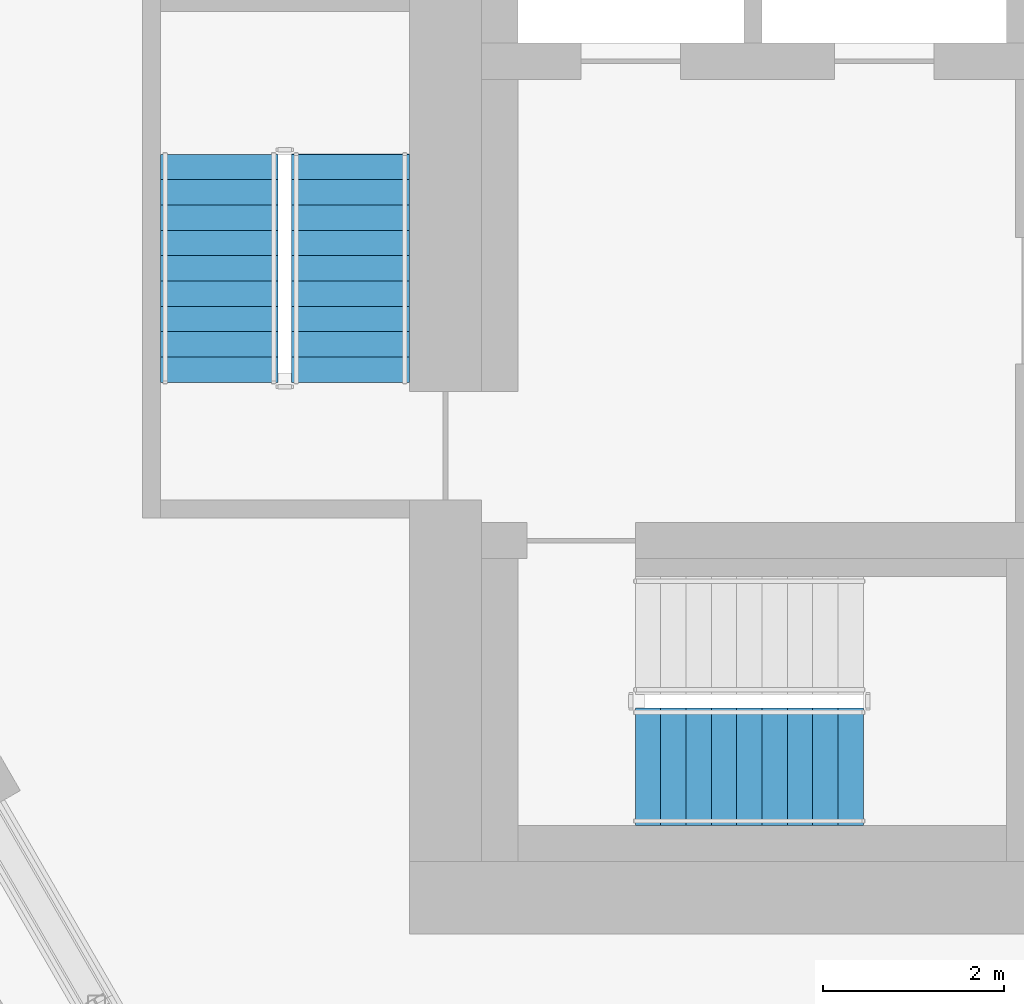
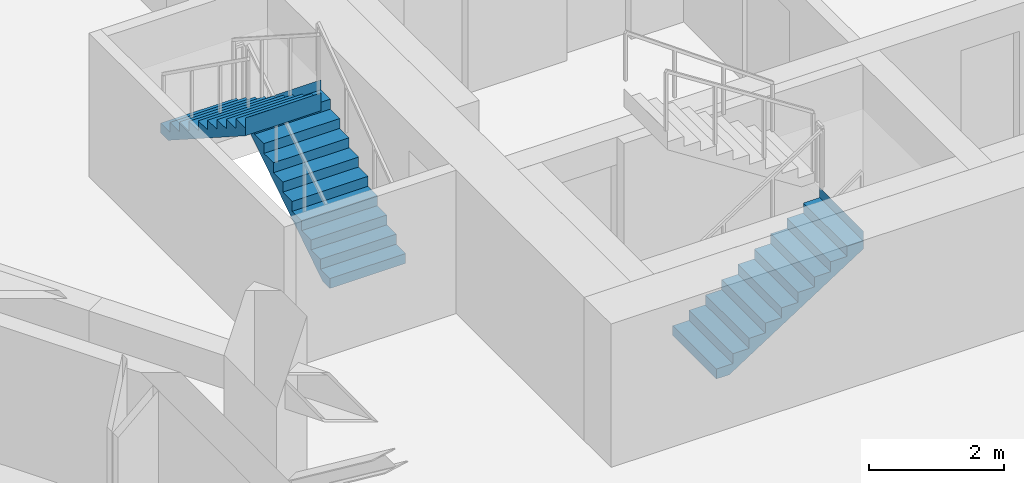
# One storey, part 16 of 22: 3 stair flights, 2 elements without a shape of their own.
"""IFC4 building model written with IfcOpenShell, lengths in metres."""

from ifc_helpers import new_model, si_unit, direction, frame, origin, place, context, subcontext, project, spatial, triangles, material, type_object, element, aggregate, save


model = new_model("IFC4")

# Units and contexts
model_context = context("Model", 3, precision=1e-05, world=origin(), true_north=direction((0.0, 1.0)))
body_context = subcontext(model_context, "Body", "Model", "MODEL_VIEW")
ifc_project = project(units=[si_unit("LENGTHUNIT", "METRE"), si_unit("AREAUNIT", "SQUARE_METRE"), si_unit("VOLUMEUNIT", "CUBIC_METRE"), si_unit("PLANEANGLEUNIT", "RADIAN"), si_unit("MASSUNIT", "GRAM", prefix="KILO")], contexts=[model_context])

# Site, building, storey
site_placement = place(None, origin())
site = spatial("IfcSite", under=ifc_project, at=site_placement, CompositionType="ELEMENT")
building_placement = place(site_placement, origin())
building = spatial("IfcBuilding", under=site, at=building_placement, Name="Beryl Residences", CompositionType="ELEMENT")
storey_placement = place(building_placement, frame((0.0, 0.0, 153.60009765625)))
storey = spatial("IfcBuildingStorey", under=building, at=storey_placement, Name="L47", CompositionType="ELEMENT", Elevation=153.60009765625)

# Stair, stair flight
ifc_material_1 = material(Name="Concrete C40/50", Category="concrete")
stair_type = type_object("IfcStairType", Name="ST1 protected exit stair, half-turn, 1300 mm flights", PredefinedType="HALF_TURN_STAIR", material=ifc_material_1)
stair_1_placement = place(storey_placement, origin())
stair_1 = element("IfcStair", 1, at=stair_1_placement, inside=storey, type_object=stair_type, Name="L47 PROTECTED EXIT STAIR ST-1", PredefinedType="HALF_TURN_STAIR")
ifc_material_2 = material(Name="Concrete C40/50", Category="concrete")
stair_flight_type = type_object("IfcStairFlightType", Name="SF1 stair flight 1300 mm", PredefinedType="STRAIGHT", material=ifc_material_2)
stair_flight_1_placement = place(storey_placement, frame((-10.800048828125, -17.14990234375, 0.0), z_axis=(0.0, 0.0, 1.0), x_axis=(1.0, 0.0, 0.0)))
stair_flight_1 = element("IfcStairFlight", 2, at=stair_flight_1_placement, type_object=stair_flight_type, Name="ST-1 flight 1", NumberOfRisers=10, NumberOfTreads=9, PredefinedType="STRAIGHT", RiserHeight=0.18, TreadLength=0.28, context=body_context, shape_type="Tessellation", body=[
    triangles([(0.0, -0.64990234375, 0.0), (0.0, -0.324951171875, 0.0), (0.0, 0.0, 0.0), (0.0, 0.324951171875, 0.0), (0.0, 0.64990234375, 0.0), (0.0, -0.64990234375, 0.179931640625), (0.0, -0.324951171875, 0.179931640625), (0.0, 0.0, 0.179931640625), (0.0, 0.324951171875, 0.179931640625), (0.0, 0.64990234375, 0.179931640625), (0.280029296875, -0.64990234375, 0.179931640625), (0.280029296875, -0.324951171875, 0.179931640625), (0.280029296875, 0.0, 0.179931640625), (0.280029296875, 0.324951171875, 0.179931640625), (0.280029296875, 0.64990234375, 0.179931640625), (0.280029296875, -0.64990234375, 0.360107421875), (0.280029296875, -0.324951171875, 0.360107421875), (0.280029296875, 0.0, 0.360107421875), (0.280029296875, 0.324951171875, 0.360107421875), (0.280029296875, 0.64990234375, 0.360107421875), (0.56005859375, -0.64990234375, 0.360107421875), (0.56005859375, -0.324951171875, 0.360107421875), (0.56005859375, 0.0, 0.360107421875), (0.56005859375, 0.324951171875, 0.360107421875), (0.56005859375, 0.64990234375, 0.360107421875), (0.56005859375, -0.64990234375, 0.5400390625), (0.56005859375, -0.324951171875, 0.5400390625), (0.56005859375, 0.0, 0.5400390625), (0.56005859375, 0.324951171875, 0.5400390625), (0.56005859375, 0.64990234375, 0.5400390625), (0.840087890625, -0.64990234375, 0.5400390625), (0.840087890625, -0.324951171875, 0.5400390625), (0.840087890625, 0.0, 0.5400390625), (0.840087890625, 0.324951171875, 0.5400390625), (0.840087890625, 0.64990234375, 0.5400390625), (0.840087890625, -0.64990234375, 0.719970703125), (0.840087890625, -0.324951171875, 0.719970703125), (0.840087890625, 0.0, 0.719970703125), (0.840087890625, 0.324951171875, 0.719970703125), (0.840087890625, 0.64990234375, 0.719970703125), (1.1201171875, -0.64990234375, 0.719970703125), (1.1201171875, -0.324951171875, 0.719970703125), (1.1201171875, 0.0, 0.719970703125), (1.1201171875, 0.324951171875, 0.719970703125), (1.1201171875, 0.64990234375, 0.719970703125), (1.1201171875, -0.64990234375, 0.89990234375), (1.1201171875, -0.324951171875, 0.89990234375), (1.1201171875, 0.0, 0.89990234375), (1.1201171875, 0.324951171875, 0.89990234375), (1.1201171875, 0.64990234375, 0.89990234375), (1.39990234375, -0.64990234375, 0.89990234375), (1.39990234375, -0.324951171875, 0.89990234375), (1.39990234375, 0.0, 0.89990234375), (1.39990234375, 0.324951171875, 0.89990234375), (1.39990234375, 0.64990234375, 0.89990234375), (1.39990234375, -0.64990234375, 1.080078125), (1.39990234375, -0.324951171875, 1.080078125), (1.39990234375, 0.0, 1.080078125), (1.39990234375, 0.324951171875, 1.080078125), (1.39990234375, 0.64990234375, 1.080078125), (1.679931640625, -0.64990234375, 1.080078125), (1.679931640625, -0.324951171875, 1.080078125), (1.679931640625, 0.0, 1.080078125), (1.679931640625, 0.324951171875, 1.080078125), (1.679931640625, 0.64990234375, 1.080078125), (1.679931640625, -0.64990234375, 1.260009765625), (1.679931640625, -0.324951171875, 1.260009765625), (1.679931640625, 0.0, 1.260009765625), (1.679931640625, 0.324951171875, 1.260009765625), (1.679931640625, 0.64990234375, 1.260009765625), (1.9599609375, -0.64990234375, 1.260009765625), (1.9599609375, -0.324951171875, 1.260009765625), (1.9599609375, 0.0, 1.260009765625), (1.9599609375, 0.324951171875, 1.260009765625), (1.9599609375, 0.64990234375, 1.260009765625), (1.9599609375, -0.64990234375, 1.43994140625), (1.9599609375, -0.324951171875, 1.43994140625), (1.9599609375, 0.0, 1.43994140625), (1.9599609375, 0.324951171875, 1.43994140625), (1.9599609375, 0.64990234375, 1.43994140625), (2.239990234375, -0.64990234375, 1.43994140625), (2.239990234375, -0.324951171875, 1.43994140625), (2.239990234375, 0.0, 1.43994140625), (2.239990234375, 0.324951171875, 1.43994140625), (2.239990234375, 0.64990234375, 1.43994140625), (2.239990234375, -0.64990234375, 1.6201171875), (2.239990234375, -0.324951171875, 1.6201171875), (2.239990234375, 0.0, 1.6201171875), (2.239990234375, 0.324951171875, 1.6201171875), (2.239990234375, 0.64990234375, 1.6201171875), (2.52001953125, -0.64990234375, 1.6201171875), (2.52001953125, -0.324951171875, 1.6201171875), (2.52001953125, 0.0, 1.6201171875), (2.52001953125, 0.324951171875, 1.6201171875), (2.52001953125, 0.64990234375, 1.6201171875), (2.52001953125, -0.64990234375, 1.800048828125), (2.52001953125, -0.324951171875, 1.800048828125), (2.52001953125, 0.0, 1.800048828125), (2.52001953125, 0.324951171875, 1.800048828125), (2.52001953125, 0.64990234375, 1.800048828125), (2.52099609375, -0.64990234375, 1.800048828125), (2.52099609375, -0.324951171875, 1.800048828125), (2.52099609375, 0.0, 1.800048828125), (2.52099609375, 0.324951171875, 1.800048828125), (2.52099609375, 0.64990234375, 1.800048828125), (2.52099609375, -0.64990234375, 1.477294921875), (2.52099609375, -0.324951171875, 1.477294921875), (2.52099609375, 0.0, 1.477294921875), (2.52099609375, 0.324951171875, 1.477294921875), (2.52099609375, 0.64990234375, 1.477294921875), (0.22314453125, -0.64990234375, 0.0), (0.22314453125, -0.324951171875, 0.0), (0.22314453125, 0.0, 0.0), (0.22314453125, 0.324951171875, 0.0), (0.22314453125, 0.64990234375, 0.0)], [[1, 6, 7], [1, 7, 2], [2, 7, 8], [2, 8, 3], [3, 8, 9], [3, 9, 4], [4, 9, 10], [4, 10, 5], [6, 11, 12], [6, 12, 7], [7, 12, 13], [7, 13, 8], [8, 13, 14], [8, 14, 9], [9, 14, 15], [9, 15, 10], [11, 16, 17], [11, 17, 12], [12, 17, 18], [12, 18, 13], [13, 18, 19], [13, 19, 14], [14, 19, 20], [14, 20, 15], [16, 21, 22], [16, 22, 17], [17, 22, 23], [17, 23, 18], [18, 23, 24], [18, 24, 19], [19, 24, 25], [19, 25, 20], [21, 26, 27], [21, 27, 22], [22, 27, 28], [22, 28, 23], [23, 28, 29], [23, 29, 24], [24, 29, 30], [24, 30, 25], [26, 31, 32], [26, 32, 27], [27, 32, 33], [27, 33, 28], [28, 33, 34], [28, 34, 29], [29, 34, 35], [29, 35, 30], [31, 36, 37], [31, 37, 32], [32, 37, 38], [32, 38, 33], [33, 38, 39], [33, 39, 34], [34, 39, 40], [34, 40, 35], [36, 41, 42], [36, 42, 37], [37, 42, 43], [37, 43, 38], [38, 43, 44], [38, 44, 39], [39, 44, 45], [39, 45, 40], [41, 46, 47], [41, 47, 42], [42, 47, 48], [42, 48, 43], [43, 48, 49], [43, 49, 44], [44, 49, 50], [44, 50, 45], [46, 51, 52], [46, 52, 47], [47, 52, 53], [47, 53, 48], [48, 53, 54], [48, 54, 49], [49, 54, 55], [49, 55, 50], [51, 56, 57], [51, 57, 52], [52, 57, 58], [52, 58, 53], [53, 58, 59], [53, 59, 54], [54, 59, 60], [54, 60, 55], [56, 61, 62], [56, 62, 57], [57, 62, 63], [57, 63, 58], [58, 63, 64], [58, 64, 59], [59, 64, 65], [59, 65, 60], [61, 66, 67], [61, 67, 62], [62, 67, 68], [62, 68, 63], [63, 68, 69], [63, 69, 64], [64, 69, 70], [64, 70, 65], [66, 71, 72], [66, 72, 67], [67, 72, 73], [67, 73, 68], [68, 73, 74], [68, 74, 69], [69, 74, 75], [69, 75, 70], [71, 76, 77], [71, 77, 72], [72, 77, 78], [72, 78, 73], [73, 78, 79], [73, 79, 74], [74, 79, 80], [74, 80, 75], [76, 81, 82], [76, 82, 77], [77, 82, 83], [77, 83, 78], [78, 83, 84], [78, 84, 79], [79, 84, 85], [79, 85, 80], [81, 86, 87], [81, 87, 82], [82, 87, 88], [82, 88, 83], [83, 88, 89], [83, 89, 84], [84, 89, 90], [84, 90, 85], [86, 91, 92], [86, 92, 87], [87, 92, 93], [87, 93, 88], [88, 93, 94], [88, 94, 89], [89, 94, 95], [89, 95, 90], [91, 96, 97], [91, 97, 92], [92, 97, 98], [92, 98, 93], [93, 98, 99], [93, 99, 94], [94, 99, 100], [94, 100, 95], [96, 101, 102], [96, 102, 97], [97, 102, 103], [97, 103, 98], [98, 103, 104], [98, 104, 99], [99, 104, 105], [99, 105, 100], [101, 106, 107], [101, 107, 102], [102, 107, 108], [102, 108, 103], [103, 108, 109], [103, 109, 104], [104, 109, 110], [104, 110, 105], [106, 111, 112], [106, 112, 107], [107, 112, 113], [107, 113, 108], [108, 113, 114], [108, 114, 109], [109, 114, 115], [109, 115, 110], [111, 1, 2], [111, 2, 112], [112, 2, 3], [112, 3, 113], [113, 3, 4], [113, 4, 114], [114, 4, 5], [114, 5, 115], [1, 111, 106], [5, 110, 115], [106, 101, 96], [110, 100, 105], [106, 96, 91], [110, 95, 100], [106, 91, 86], [110, 90, 95], [106, 86, 81], [110, 85, 90], [81, 76, 71], [85, 75, 80], [106, 81, 71], [110, 75, 85], [71, 66, 61], [75, 65, 70], [106, 71, 61], [110, 65, 75], [61, 56, 51], [65, 55, 60], [106, 61, 51], [110, 55, 65], [51, 46, 41], [55, 45, 50], [106, 51, 41], [110, 45, 55], [41, 36, 31], [45, 35, 40], [106, 41, 31], [110, 35, 45], [31, 26, 21], [35, 25, 30], [106, 31, 21], [110, 25, 35], [21, 16, 11], [25, 15, 20], [106, 21, 11], [110, 15, 25], [1, 106, 11], [5, 15, 110], [11, 6, 1], [15, 5, 10]], closed=True),
])
aggregate(stair_1, [stair_flight_1])

# Stair, stair flights
stair_2_placement = place(storey_placement, origin())
stair_2 = element("IfcStair", 3, at=stair_2_placement, inside=storey, type_object=stair_type, Name="L47 PROTECTED EXIT STAIR ST-2", PredefinedType="HALF_TURN_STAIR")
stair_flight_2_placement = place(storey_placement, frame((-13.949951171875, -12.89990234375, 0.0), z_axis=(0.0, 0.0, 1.0), x_axis=(0.0, 1.0, 0.0)))
stair_flight_2 = element("IfcStairFlight", 4, at=stair_flight_2_placement, type_object=stair_flight_type, Name="ST-2 flight 1", NumberOfRisers=10, NumberOfTreads=9, PredefinedType="STRAIGHT", RiserHeight=0.18, TreadLength=0.28, context=body_context, shape_type="Tessellation", body=[
    triangles([(0.0, -0.64990234375, 0.0), (0.0, -0.324951171875, 0.0), (0.0, 0.0, 0.0), (0.0, 0.324951171875, 0.0), (0.0, 0.64990234375, 0.0), (0.0, -0.64990234375, 0.179931640625), (0.0, -0.324951171875, 0.179931640625), (0.0, 0.0, 0.179931640625), (0.0, 0.324951171875, 0.179931640625), (0.0, 0.64990234375, 0.179931640625), (0.280029296875, -0.64990234375, 0.179931640625), (0.280029296875, -0.324951171875, 0.179931640625), (0.280029296875, 0.0, 0.179931640625), (0.280029296875, 0.324951171875, 0.179931640625), (0.280029296875, 0.64990234375, 0.179931640625), (0.280029296875, -0.64990234375, 0.360107421875), (0.280029296875, -0.324951171875, 0.360107421875), (0.280029296875, 0.0, 0.360107421875), (0.280029296875, 0.324951171875, 0.360107421875), (0.280029296875, 0.64990234375, 0.360107421875), (0.56005859375, -0.64990234375, 0.360107421875), (0.56005859375, -0.324951171875, 0.360107421875), (0.56005859375, 0.0, 0.360107421875), (0.56005859375, 0.324951171875, 0.360107421875), (0.56005859375, 0.64990234375, 0.360107421875), (0.56005859375, -0.64990234375, 0.5400390625), (0.56005859375, -0.324951171875, 0.5400390625), (0.56005859375, 0.0, 0.5400390625), (0.56005859375, 0.324951171875, 0.5400390625), (0.56005859375, 0.64990234375, 0.5400390625), (0.840087890625, -0.64990234375, 0.5400390625), (0.840087890625, -0.324951171875, 0.5400390625), (0.840087890625, 0.0, 0.5400390625), (0.840087890625, 0.324951171875, 0.5400390625), (0.840087890625, 0.64990234375, 0.5400390625), (0.840087890625, -0.64990234375, 0.719970703125), (0.840087890625, -0.324951171875, 0.719970703125), (0.840087890625, 0.0, 0.719970703125), (0.840087890625, 0.324951171875, 0.719970703125), (0.840087890625, 0.64990234375, 0.719970703125), (1.1201171875, -0.64990234375, 0.719970703125), (1.1201171875, -0.324951171875, 0.719970703125), (1.1201171875, 0.0, 0.719970703125), (1.1201171875, 0.324951171875, 0.719970703125), (1.1201171875, 0.64990234375, 0.719970703125), (1.1201171875, -0.64990234375, 0.89990234375), (1.1201171875, -0.324951171875, 0.89990234375), (1.1201171875, 0.0, 0.89990234375), (1.1201171875, 0.324951171875, 0.89990234375), (1.1201171875, 0.64990234375, 0.89990234375), (1.39990234375, -0.64990234375, 0.89990234375), (1.39990234375, -0.324951171875, 0.89990234375), (1.39990234375, 0.0, 0.89990234375), (1.39990234375, 0.324951171875, 0.89990234375), (1.39990234375, 0.64990234375, 0.89990234375), (1.39990234375, -0.64990234375, 1.080078125), (1.39990234375, -0.324951171875, 1.080078125), (1.39990234375, 0.0, 1.080078125), (1.39990234375, 0.324951171875, 1.080078125), (1.39990234375, 0.64990234375, 1.080078125), (1.679931640625, -0.64990234375, 1.080078125), (1.679931640625, -0.324951171875, 1.080078125), (1.679931640625, 0.0, 1.080078125), (1.679931640625, 0.324951171875, 1.080078125), (1.679931640625, 0.64990234375, 1.080078125), (1.679931640625, -0.64990234375, 1.260009765625), (1.679931640625, -0.324951171875, 1.260009765625), (1.679931640625, 0.0, 1.260009765625), (1.679931640625, 0.324951171875, 1.260009765625), (1.679931640625, 0.64990234375, 1.260009765625), (1.9599609375, -0.64990234375, 1.260009765625), (1.9599609375, -0.324951171875, 1.260009765625), (1.9599609375, 0.0, 1.260009765625), (1.9599609375, 0.324951171875, 1.260009765625), (1.9599609375, 0.64990234375, 1.260009765625), (1.9599609375, -0.64990234375, 1.43994140625), (1.9599609375, -0.324951171875, 1.43994140625), (1.9599609375, 0.0, 1.43994140625), (1.9599609375, 0.324951171875, 1.43994140625), (1.9599609375, 0.64990234375, 1.43994140625), (2.239990234375, -0.64990234375, 1.43994140625), (2.239990234375, -0.324951171875, 1.43994140625), (2.239990234375, 0.0, 1.43994140625), (2.239990234375, 0.324951171875, 1.43994140625), (2.239990234375, 0.64990234375, 1.43994140625), (2.239990234375, -0.64990234375, 1.6201171875), (2.239990234375, -0.324951171875, 1.6201171875), (2.239990234375, 0.0, 1.6201171875), (2.239990234375, 0.324951171875, 1.6201171875), (2.239990234375, 0.64990234375, 1.6201171875), (2.52001953125, -0.64990234375, 1.6201171875), (2.52001953125, -0.324951171875, 1.6201171875), (2.52001953125, 0.0, 1.6201171875), (2.52001953125, 0.324951171875, 1.6201171875), (2.52001953125, 0.64990234375, 1.6201171875), (2.52001953125, -0.64990234375, 1.800048828125), (2.52001953125, -0.324951171875, 1.800048828125), (2.52001953125, 0.0, 1.800048828125), (2.52001953125, 0.324951171875, 1.800048828125), (2.52001953125, 0.64990234375, 1.800048828125), (2.52099609375, -0.64990234375, 1.800048828125), (2.52099609375, -0.324951171875, 1.800048828125), (2.52099609375, 0.0, 1.800048828125), (2.52099609375, 0.324951171875, 1.800048828125), (2.52099609375, 0.64990234375, 1.800048828125), (2.52099609375, -0.64990234375, 1.477294921875), (2.52099609375, -0.324951171875, 1.477294921875), (2.52099609375, 0.0, 1.477294921875), (2.52099609375, 0.324951171875, 1.477294921875), (2.52099609375, 0.64990234375, 1.477294921875), (0.22314453125, -0.64990234375, 0.0), (0.22314453125, -0.324951171875, 0.0), (0.22314453125, 0.0, 0.0), (0.22314453125, 0.324951171875, 0.0), (0.22314453125, 0.64990234375, 0.0)], [[1, 6, 7], [1, 7, 2], [2, 7, 8], [2, 8, 3], [3, 8, 9], [3, 9, 4], [4, 9, 10], [4, 10, 5], [6, 11, 12], [6, 12, 7], [7, 12, 13], [7, 13, 8], [8, 13, 14], [8, 14, 9], [9, 14, 15], [9, 15, 10], [11, 16, 17], [11, 17, 12], [12, 17, 18], [12, 18, 13], [13, 18, 19], [13, 19, 14], [14, 19, 20], [14, 20, 15], [16, 21, 22], [16, 22, 17], [17, 22, 23], [17, 23, 18], [18, 23, 24], [18, 24, 19], [19, 24, 25], [19, 25, 20], [21, 26, 27], [21, 27, 22], [22, 27, 28], [22, 28, 23], [23, 28, 29], [23, 29, 24], [24, 29, 30], [24, 30, 25], [26, 31, 32], [26, 32, 27], [27, 32, 33], [27, 33, 28], [28, 33, 34], [28, 34, 29], [29, 34, 35], [29, 35, 30], [31, 36, 37], [31, 37, 32], [32, 37, 38], [32, 38, 33], [33, 38, 39], [33, 39, 34], [34, 39, 40], [34, 40, 35], [36, 41, 42], [36, 42, 37], [37, 42, 43], [37, 43, 38], [38, 43, 44], [38, 44, 39], [39, 44, 45], [39, 45, 40], [41, 46, 47], [41, 47, 42], [42, 47, 48], [42, 48, 43], [43, 48, 49], [43, 49, 44], [44, 49, 50], [44, 50, 45], [46, 51, 52], [46, 52, 47], [47, 52, 53], [47, 53, 48], [48, 53, 54], [48, 54, 49], [49, 54, 55], [49, 55, 50], [51, 56, 57], [51, 57, 52], [52, 57, 58], [52, 58, 53], [53, 58, 59], [53, 59, 54], [54, 59, 60], [54, 60, 55], [56, 61, 62], [56, 62, 57], [57, 62, 63], [57, 63, 58], [58, 63, 64], [58, 64, 59], [59, 64, 65], [59, 65, 60], [61, 66, 67], [61, 67, 62], [62, 67, 68], [62, 68, 63], [63, 68, 69], [63, 69, 64], [64, 69, 70], [64, 70, 65], [66, 71, 72], [66, 72, 67], [67, 72, 73], [67, 73, 68], [68, 73, 74], [68, 74, 69], [69, 74, 75], [69, 75, 70], [71, 76, 77], [71, 77, 72], [72, 77, 78], [72, 78, 73], [73, 78, 79], [73, 79, 74], [74, 79, 80], [74, 80, 75], [76, 81, 82], [76, 82, 77], [77, 82, 83], [77, 83, 78], [78, 83, 84], [78, 84, 79], [79, 84, 85], [79, 85, 80], [81, 86, 87], [81, 87, 82], [82, 87, 88], [82, 88, 83], [83, 88, 89], [83, 89, 84], [84, 89, 90], [84, 90, 85], [86, 91, 92], [86, 92, 87], [87, 92, 93], [87, 93, 88], [88, 93, 94], [88, 94, 89], [89, 94, 95], [89, 95, 90], [91, 96, 97], [91, 97, 92], [92, 97, 98], [92, 98, 93], [93, 98, 99], [93, 99, 94], [94, 99, 100], [94, 100, 95], [96, 101, 102], [96, 102, 97], [97, 102, 103], [97, 103, 98], [98, 103, 104], [98, 104, 99], [99, 104, 105], [99, 105, 100], [101, 106, 107], [101, 107, 102], [102, 107, 108], [102, 108, 103], [103, 108, 109], [103, 109, 104], [104, 109, 110], [104, 110, 105], [106, 111, 112], [106, 112, 107], [107, 112, 113], [107, 113, 108], [108, 113, 114], [108, 114, 109], [109, 114, 115], [109, 115, 110], [111, 1, 2], [111, 2, 112], [112, 2, 3], [112, 3, 113], [113, 3, 4], [113, 4, 114], [114, 4, 5], [114, 5, 115], [1, 111, 106], [5, 110, 115], [106, 101, 96], [110, 100, 105], [106, 96, 91], [110, 95, 100], [106, 91, 86], [110, 90, 95], [106, 86, 81], [110, 85, 90], [81, 76, 71], [85, 75, 80], [106, 81, 71], [110, 75, 85], [71, 66, 61], [75, 65, 70], [106, 71, 61], [110, 65, 75], [61, 56, 51], [65, 55, 60], [106, 61, 51], [110, 55, 65], [51, 46, 41], [55, 45, 50], [106, 51, 41], [110, 45, 55], [41, 36, 31], [45, 35, 40], [106, 41, 31], [110, 35, 45], [31, 26, 21], [35, 25, 30], [106, 31, 21], [110, 25, 35], [21, 16, 11], [25, 15, 20], [106, 21, 11], [110, 15, 25], [1, 106, 11], [5, 15, 110], [11, 6, 1], [15, 5, 10]], closed=True),
])
stair_flight_3_placement = place(storey_placement, frame((-15.39990234375, -10.3798828125, 1.7998046875), z_axis=(0.0, 0.0, 1.0), x_axis=(0.0, -1.0, 0.0)))
stair_flight_3 = element("IfcStairFlight", 5, at=stair_flight_3_placement, type_object=stair_flight_type, Name="ST-2 flight 2", NumberOfRisers=10, NumberOfTreads=9, PredefinedType="STRAIGHT", RiserHeight=0.18, TreadLength=0.28, context=body_context, shape_type="Tessellation", body=[
    triangles([(0.0, -0.64990234375, 0.0), (0.0, -0.324951171875, 0.0), (0.0, 0.0, 0.0), (0.0, 0.324951171875, 0.0), (0.0, 0.64990234375, 0.0), (0.0, -0.64990234375, 0.179931640625), (0.0, -0.324951171875, 0.179931640625), (0.0, 0.0, 0.179931640625), (0.0, 0.324951171875, 0.179931640625), (0.0, 0.64990234375, 0.179931640625), (0.280029296875, -0.64990234375, 0.179931640625), (0.280029296875, -0.324951171875, 0.179931640625), (0.280029296875, 0.0, 0.179931640625), (0.280029296875, 0.324951171875, 0.179931640625), (0.280029296875, 0.64990234375, 0.179931640625), (0.280029296875, -0.64990234375, 0.360107421875), (0.280029296875, -0.324951171875, 0.360107421875), (0.280029296875, 0.0, 0.360107421875), (0.280029296875, 0.324951171875, 0.360107421875), (0.280029296875, 0.64990234375, 0.360107421875), (0.56005859375, -0.64990234375, 0.360107421875), (0.56005859375, -0.324951171875, 0.360107421875), (0.56005859375, 0.0, 0.360107421875), (0.56005859375, 0.324951171875, 0.360107421875), (0.56005859375, 0.64990234375, 0.360107421875), (0.56005859375, -0.64990234375, 0.5400390625), (0.56005859375, -0.324951171875, 0.5400390625), (0.56005859375, 0.0, 0.5400390625), (0.56005859375, 0.324951171875, 0.5400390625), (0.56005859375, 0.64990234375, 0.5400390625), (0.840087890625, -0.64990234375, 0.5400390625), (0.840087890625, -0.324951171875, 0.5400390625), (0.840087890625, 0.0, 0.5400390625), (0.840087890625, 0.324951171875, 0.5400390625), (0.840087890625, 0.64990234375, 0.5400390625), (0.840087890625, -0.64990234375, 0.719970703125), (0.840087890625, -0.324951171875, 0.719970703125), (0.840087890625, 0.0, 0.719970703125), (0.840087890625, 0.324951171875, 0.719970703125), (0.840087890625, 0.64990234375, 0.719970703125), (1.1201171875, -0.64990234375, 0.719970703125), (1.1201171875, -0.324951171875, 0.719970703125), (1.1201171875, 0.0, 0.719970703125), (1.1201171875, 0.324951171875, 0.719970703125), (1.1201171875, 0.64990234375, 0.719970703125), (1.1201171875, -0.64990234375, 0.89990234375), (1.1201171875, -0.324951171875, 0.89990234375), (1.1201171875, 0.0, 0.89990234375), (1.1201171875, 0.324951171875, 0.89990234375), (1.1201171875, 0.64990234375, 0.89990234375), (1.39990234375, -0.64990234375, 0.89990234375), (1.39990234375, -0.324951171875, 0.89990234375), (1.39990234375, 0.0, 0.89990234375), (1.39990234375, 0.324951171875, 0.89990234375), (1.39990234375, 0.64990234375, 0.89990234375), (1.39990234375, -0.64990234375, 1.080078125), (1.39990234375, -0.324951171875, 1.080078125), (1.39990234375, 0.0, 1.080078125), (1.39990234375, 0.324951171875, 1.080078125), (1.39990234375, 0.64990234375, 1.080078125), (1.679931640625, -0.64990234375, 1.080078125), (1.679931640625, -0.324951171875, 1.080078125), (1.679931640625, 0.0, 1.080078125), (1.679931640625, 0.324951171875, 1.080078125), (1.679931640625, 0.64990234375, 1.080078125), (1.679931640625, -0.64990234375, 1.260009765625), (1.679931640625, -0.324951171875, 1.260009765625), (1.679931640625, 0.0, 1.260009765625), (1.679931640625, 0.324951171875, 1.260009765625), (1.679931640625, 0.64990234375, 1.260009765625), (1.9599609375, -0.64990234375, 1.260009765625), (1.9599609375, -0.324951171875, 1.260009765625), (1.9599609375, 0.0, 1.260009765625), (1.9599609375, 0.324951171875, 1.260009765625), (1.9599609375, 0.64990234375, 1.260009765625), (1.9599609375, -0.64990234375, 1.43994140625), (1.9599609375, -0.324951171875, 1.43994140625), (1.9599609375, 0.0, 1.43994140625), (1.9599609375, 0.324951171875, 1.43994140625), (1.9599609375, 0.64990234375, 1.43994140625), (2.239990234375, -0.64990234375, 1.43994140625), (2.239990234375, -0.324951171875, 1.43994140625), (2.239990234375, 0.0, 1.43994140625), (2.239990234375, 0.324951171875, 1.43994140625), (2.239990234375, 0.64990234375, 1.43994140625), (2.239990234375, -0.64990234375, 1.6201171875), (2.239990234375, -0.324951171875, 1.6201171875), (2.239990234375, 0.0, 1.6201171875), (2.239990234375, 0.324951171875, 1.6201171875), (2.239990234375, 0.64990234375, 1.6201171875), (2.52001953125, -0.64990234375, 1.6201171875), (2.52001953125, -0.324951171875, 1.6201171875), (2.52001953125, 0.0, 1.6201171875), (2.52001953125, 0.324951171875, 1.6201171875), (2.52001953125, 0.64990234375, 1.6201171875), (2.52001953125, -0.64990234375, 1.800048828125), (2.52001953125, -0.324951171875, 1.800048828125), (2.52001953125, 0.0, 1.800048828125), (2.52001953125, 0.324951171875, 1.800048828125), (2.52001953125, 0.64990234375, 1.800048828125), (2.52099609375, -0.64990234375, 1.800048828125), (2.52099609375, -0.324951171875, 1.800048828125), (2.52099609375, 0.0, 1.800048828125), (2.52099609375, 0.324951171875, 1.800048828125), (2.52099609375, 0.64990234375, 1.800048828125), (2.52099609375, -0.64990234375, 1.477294921875), (2.52099609375, -0.324951171875, 1.477294921875), (2.52099609375, 0.0, 1.477294921875), (2.52099609375, 0.324951171875, 1.477294921875), (2.52099609375, 0.64990234375, 1.477294921875), (0.22314453125, -0.64990234375, 0.0), (0.22314453125, -0.324951171875, 0.0), (0.22314453125, 0.0, 0.0), (0.22314453125, 0.324951171875, 0.0), (0.22314453125, 0.64990234375, 0.0)], [[1, 6, 7], [1, 7, 2], [2, 7, 8], [2, 8, 3], [3, 8, 9], [3, 9, 4], [4, 9, 10], [4, 10, 5], [6, 11, 12], [6, 12, 7], [7, 12, 13], [7, 13, 8], [8, 13, 14], [8, 14, 9], [9, 14, 15], [9, 15, 10], [11, 16, 17], [11, 17, 12], [12, 17, 18], [12, 18, 13], [13, 18, 19], [13, 19, 14], [14, 19, 20], [14, 20, 15], [16, 21, 22], [16, 22, 17], [17, 22, 23], [17, 23, 18], [18, 23, 24], [18, 24, 19], [19, 24, 25], [19, 25, 20], [21, 26, 27], [21, 27, 22], [22, 27, 28], [22, 28, 23], [23, 28, 29], [23, 29, 24], [24, 29, 30], [24, 30, 25], [26, 31, 32], [26, 32, 27], [27, 32, 33], [27, 33, 28], [28, 33, 34], [28, 34, 29], [29, 34, 35], [29, 35, 30], [31, 36, 37], [31, 37, 32], [32, 37, 38], [32, 38, 33], [33, 38, 39], [33, 39, 34], [34, 39, 40], [34, 40, 35], [36, 41, 42], [36, 42, 37], [37, 42, 43], [37, 43, 38], [38, 43, 44], [38, 44, 39], [39, 44, 45], [39, 45, 40], [41, 46, 47], [41, 47, 42], [42, 47, 48], [42, 48, 43], [43, 48, 49], [43, 49, 44], [44, 49, 50], [44, 50, 45], [46, 51, 52], [46, 52, 47], [47, 52, 53], [47, 53, 48], [48, 53, 54], [48, 54, 49], [49, 54, 55], [49, 55, 50], [51, 56, 57], [51, 57, 52], [52, 57, 58], [52, 58, 53], [53, 58, 59], [53, 59, 54], [54, 59, 60], [54, 60, 55], [56, 61, 62], [56, 62, 57], [57, 62, 63], [57, 63, 58], [58, 63, 64], [58, 64, 59], [59, 64, 65], [59, 65, 60], [61, 66, 67], [61, 67, 62], [62, 67, 68], [62, 68, 63], [63, 68, 69], [63, 69, 64], [64, 69, 70], [64, 70, 65], [66, 71, 72], [66, 72, 67], [67, 72, 73], [67, 73, 68], [68, 73, 74], [68, 74, 69], [69, 74, 75], [69, 75, 70], [71, 76, 77], [71, 77, 72], [72, 77, 78], [72, 78, 73], [73, 78, 79], [73, 79, 74], [74, 79, 80], [74, 80, 75], [76, 81, 82], [76, 82, 77], [77, 82, 83], [77, 83, 78], [78, 83, 84], [78, 84, 79], [79, 84, 85], [79, 85, 80], [81, 86, 87], [81, 87, 82], [82, 87, 88], [82, 88, 83], [83, 88, 89], [83, 89, 84], [84, 89, 90], [84, 90, 85], [86, 91, 92], [86, 92, 87], [87, 92, 93], [87, 93, 88], [88, 93, 94], [88, 94, 89], [89, 94, 95], [89, 95, 90], [91, 96, 97], [91, 97, 92], [92, 97, 98], [92, 98, 93], [93, 98, 99], [93, 99, 94], [94, 99, 100], [94, 100, 95], [96, 101, 102], [96, 102, 97], [97, 102, 103], [97, 103, 98], [98, 103, 104], [98, 104, 99], [99, 104, 105], [99, 105, 100], [101, 106, 107], [101, 107, 102], [102, 107, 108], [102, 108, 103], [103, 108, 109], [103, 109, 104], [104, 109, 110], [104, 110, 105], [106, 111, 112], [106, 112, 107], [107, 112, 113], [107, 113, 108], [108, 113, 114], [108, 114, 109], [109, 114, 115], [109, 115, 110], [111, 1, 2], [111, 2, 112], [112, 2, 3], [112, 3, 113], [113, 3, 4], [113, 4, 114], [114, 4, 5], [114, 5, 115], [1, 111, 106], [5, 110, 115], [106, 101, 96], [110, 100, 105], [106, 96, 91], [110, 95, 100], [106, 91, 86], [110, 90, 95], [106, 86, 81], [110, 85, 90], [81, 76, 71], [85, 75, 80], [106, 81, 71], [110, 75, 85], [71, 66, 61], [75, 65, 70], [106, 71, 61], [110, 65, 75], [61, 56, 51], [65, 55, 60], [106, 61, 51], [110, 55, 65], [51, 46, 41], [55, 45, 50], [106, 51, 41], [110, 45, 55], [41, 36, 31], [45, 35, 40], [106, 41, 31], [110, 35, 45], [31, 26, 21], [35, 25, 30], [106, 31, 21], [110, 25, 35], [21, 16, 11], [25, 15, 20], [106, 21, 11], [110, 15, 25], [1, 106, 11], [5, 15, 110], [11, 6, 1], [15, 5, 10]], closed=True),
])
aggregate(stair_2, [stair_flight_2, stair_flight_3])

save(model, "model.ifc")
